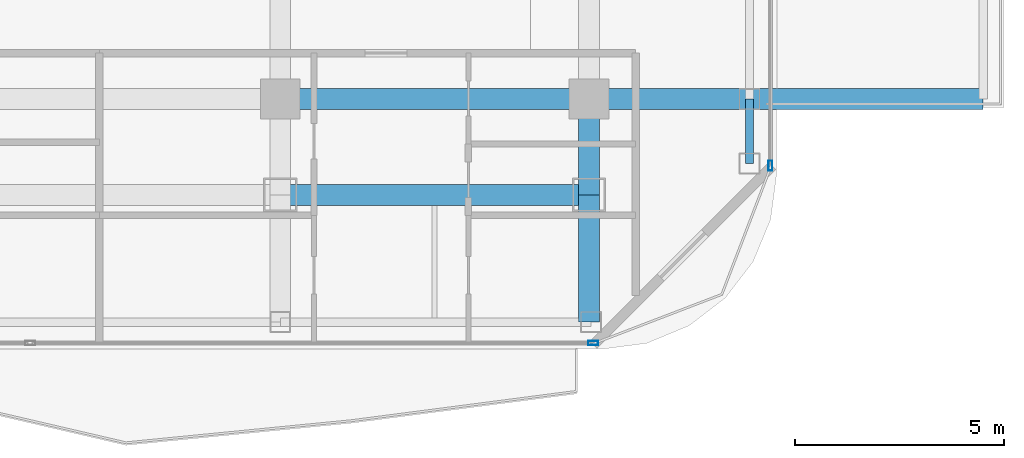
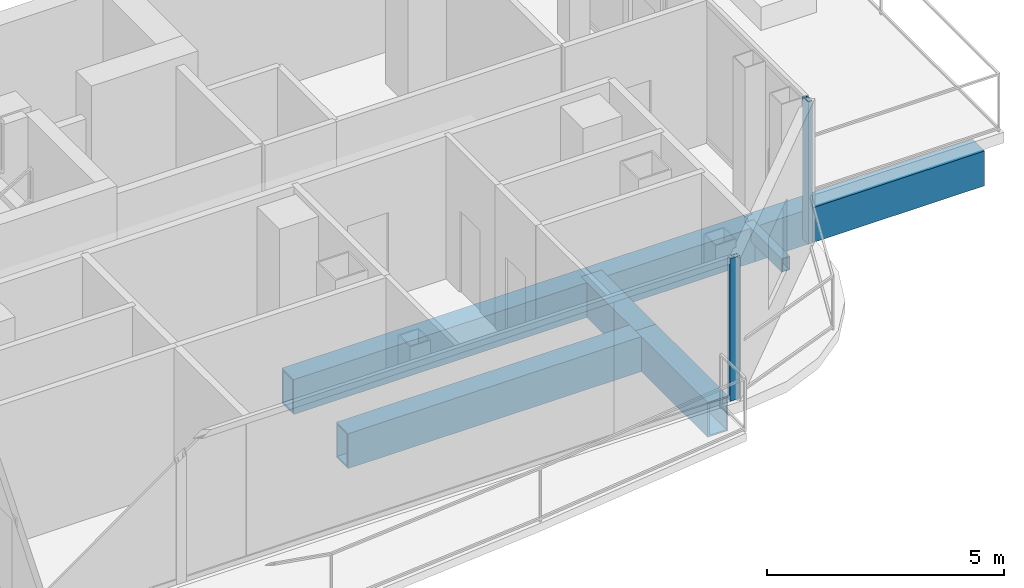
# One storey, part 8 of 24: 7 beams, 2 members, 2 elements without a shape of their own.
"""IFC4 building model written with IfcOpenShell, lengths in metres."""

from ifc_helpers import new_model, si_unit, direction, frame, origin, origin_2d, place, context, subcontext, project, spatial, hollow_rectangle, extrude, material, layer, layer_set, material_profile, profile_set, type_object, element, aggregate, save


model = new_model("IFC4")

# Units and contexts
model_context = context("Model", 3, precision=1e-05, world=origin(), true_north=direction((0.0, 1.0)))
body_context = subcontext(model_context, "Body", "Model", "MODEL_VIEW")
ifc_project = project(units=[si_unit("LENGTHUNIT", "METRE"), si_unit("AREAUNIT", "SQUARE_METRE"), si_unit("VOLUMEUNIT", "CUBIC_METRE"), si_unit("PLANEANGLEUNIT", "RADIAN"), si_unit("MASSUNIT", "GRAM", prefix="KILO")], contexts=[model_context])

# Site, building, storey
site_placement = place(None, origin())
site = spatial("IfcSite", under=ifc_project, at=site_placement, CompositionType="ELEMENT")
building_placement = place(site_placement, origin())
building = spatial("IfcBuilding", under=site, at=building_placement, Name="Khorvyn Point Tower", CompositionType="ELEMENT")
storey_placement = place(building_placement, frame((0.0, 0.0, 285.89990234375)))
storey = spatial("IfcBuildingStorey", under=building, at=storey_placement, Name="L70", CompositionType="ELEMENT", Elevation=285.89990234375)

# Curtain wall, member
ifc_material_1 = material(Name="Anodised aluminium 6063-T6 and laminated Low-E glass", Category="aluminium")
ifc_layer = layer(ifc_material_1, 0.18994140625)
ifc_layer_set = layer_set([ifc_layer], Name="Stick-Built High-Wind Curtain Wall CW-SYS-04")
curtain_wall_type = type_object("IfcCurtainWallType", Name="Stick-Built High-Wind Curtain Wall CW-SYS-04", PredefinedType="NOTDEFINED", material=ifc_layer_set)
curtain_wall_1_placement = place(storey_placement, origin())
curtain_wall_1 = element("IfcCurtainWall", 1, at=curtain_wall_1_placement, inside=storey, type_object=curtain_wall_type, Name="Curtain Wall", PredefinedType="NOTDEFINED")
ifc_material_2 = material(Name="Anodised aluminium 6063-T6", Category="aluminium")
ifc_material_profile_1 = material_profile(ifc_material_2, hollow_rectangle(XDim=0.10009765625, YDim=0.239990234375, WallThickness=0.0048828125, at=origin_2d()))
ifc_profile_set_1 = profile_set([ifc_material_profile_1], Name="Anodised aluminium 6063-T6 ALU-MUL-100x240")
member_type = type_object("IfcMemberType", Name="Anodised Aluminium 6063-T6 Mullion ALU-MUL-100x240", PredefinedType="MULLION", material=ifc_profile_set_1)
member_1_placement = place(storey_placement, frame((14.89990234375, -20.64990234375, 0.0), z_axis=(0.0, 0.0, 1.0), x_axis=(0.0, -1.0, 0.0)))
member_1 = element("IfcMember", 2, at=member_1_placement, type_object=member_type, Name="Transom", PredefinedType="MULLION", context=body_context, shape_type="SweptSolid", body=[
    extrude(hollow_rectangle(XDim=0.10009765625, YDim=0.239990234375, WallThickness=0.0048828125, at=origin_2d()), origin(), (0.0, 0.0, 1.0), 3.68017578125),
])
aggregate(curtain_wall_1, [member_1])

curtain_wall_2_placement = place(storey_placement, origin())
curtain_wall_2 = element("IfcCurtainWall", 3, at=curtain_wall_2_placement, inside=storey, type_object=curtain_wall_type, Name="Curtain Wall", PredefinedType="NOTDEFINED")
member_2_placement = place(storey_placement, frame((19.14990234375, -16.39990234375, 0.0), z_axis=(0.0, 0.0, 1.0), x_axis=(1.0, 0.0, 0.0)))
member_2 = element("IfcMember", 4, at=member_2_placement, type_object=member_type, Name="Transom", PredefinedType="MULLION", context=body_context, shape_type="SweptSolid", body=[
    extrude(hollow_rectangle(XDim=0.10009765625, YDim=0.239990234375, WallThickness=0.0048828125, at=origin_2d()), origin(), (0.0, 0.0, 1.0), 3.68017578125),
])
aggregate(curtain_wall_2, [member_2])

# Beams
ifc_material_3 = material(Name="Steel S355", Category="steel")
ifc_material_profile_2 = material_profile(ifc_material_3, hollow_rectangle(XDim=0.199951171875, YDim=0.35009765625, WallThickness=0.013916015625, at=origin_2d()))
ifc_profile_set_2 = profile_set([ifc_material_profile_2], Name="Steel S355 RHS350x200x14")
beam_type_1 = type_object("IfcBeamType", Name="Steel S355 Spandrel RHS350x200x14", PredefinedType="SPANDREL", material=ifc_profile_set_2)
beam_1_placement = place(storey_placement, frame((18.64990234375, -16.35009765625, -0.454833984375), z_axis=(0.0, 1.0, 0.0), x_axis=(-1.0, 0.0, 0.0)))
element("IfcBeam", 5, at=beam_1_placement, inside=storey, type_object=beam_type_1, Name="Beam", PredefinedType="SPANDREL", context=body_context, shape_type="SweptSolid", body=[
    extrude(hollow_rectangle(XDim=0.199951171875, YDim=0.35009765625, WallThickness=0.013916015625, at=origin_2d()), origin(), (0.0, 0.0, 1.0), 1.550048828125),
])
ifc_material_4 = material(Name="Steel S450", Category="steel")
ifc_material_profile_3 = material_profile(ifc_material_4, hollow_rectangle(XDim=0.5, YDim=0.89990234375, WallThickness=0.0400390625, at=origin_2d()))
ifc_profile_set_3 = profile_set([ifc_material_profile_3], Name="Steel S450 BOX900x500x40")
beam_type_2 = type_object("IfcBeamType", Name="Steel S450 Beam BOX900x500x40", PredefinedType="BEAM", material=ifc_profile_set_3)
beam_2_placement = place(storey_placement, frame((7.39990234375, -14.800048828125, -0.72998046875), z_axis=(1.0, 0.0, 0.0), x_axis=(0.0, 1.0, 0.0)))
element("IfcBeam", 6, at=beam_2_placement, inside=storey, type_object=beam_type_2, Name="L70 Radial Transfer Girder", PredefinedType="BEAM", context=body_context, shape_type="SweptSolid", body=[
    extrude(hollow_rectangle(XDim=0.5, YDim=0.89990234375, WallThickness=0.0400390625, at=origin_2d()), origin(), (0.0, 0.0, 1.0), 7.400146484375),
])
beam_3_placement = place(storey_placement, frame((14.800048828125, -14.800048828125, -0.72998046875), z_axis=(1.0, 0.0, 0.0), x_axis=(0.0, 1.0, 0.0)))
element("IfcBeam", 7, at=beam_3_placement, inside=storey, type_object=beam_type_2, Name="L70 Radial Transfer Girder", PredefinedType="BEAM", context=body_context, shape_type="SweptSolid", body=[
    extrude(hollow_rectangle(XDim=0.5, YDim=0.89990234375, WallThickness=0.0400390625, at=origin_2d()), origin(), (0.0, 0.0, 1.0), 3.849853515625),
])
beam_4_placement = place(storey_placement, frame((18.64990234375, -14.800048828125, -0.72998046875), z_axis=(1.0, 0.0, 0.0), x_axis=(0.0, 1.0, 0.0)))
element("IfcBeam", 8, at=beam_4_placement, inside=storey, type_object=beam_type_2, Name="L70 Radial Transfer Girder", PredefinedType="BEAM", context=body_context, shape_type="SweptSolid", body=[
    extrude(hollow_rectangle(XDim=0.5, YDim=0.89990234375, WallThickness=0.0400390625, at=origin_2d()), origin(), (0.0, 0.0, 1.0), 5.60009765625),
])
beam_5_placement = place(storey_placement, frame((7.39990234375, -17.10009765625, -0.72998046875), z_axis=(1.0, 0.0, 0.0), x_axis=(0.0, 1.0, 0.0)))
element("IfcBeam", 9, at=beam_5_placement, inside=storey, type_object=beam_type_2, Name="Beam", PredefinedType="BEAM", context=body_context, shape_type="SweptSolid", body=[
    extrude(hollow_rectangle(XDim=0.5, YDim=0.89990234375, WallThickness=0.0400390625, at=origin_2d()), origin(), (0.0, 0.0, 1.0), 7.400146484375),
])
beam_6_placement = place(storey_placement, frame((14.800048828125, -20.14990234375, -0.72998046875), z_axis=(0.0, 1.0, 0.0), x_axis=(-1.0, 0.0, 0.0)))
element("IfcBeam", 10, at=beam_6_placement, inside=storey, type_object=beam_type_2, Name="L70 Radial Transfer Girder", PredefinedType="BEAM", context=body_context, shape_type="SweptSolid", body=[
    extrude(hollow_rectangle(XDim=0.5, YDim=0.89990234375, WallThickness=0.0400390625, at=origin_2d()), origin(), (0.0, 0.0, 1.0), 3.0498046875),
])
beam_7_placement = place(storey_placement, frame((14.800048828125, -17.10009765625, -0.72998046875), z_axis=(0.0, 1.0, 0.0), x_axis=(-1.0, 0.0, 0.0)))
element("IfcBeam", 11, at=beam_7_placement, inside=storey, type_object=beam_type_2, Name="L70 Radial Transfer Girder", PredefinedType="BEAM", context=body_context, shape_type="SweptSolid", body=[
    extrude(hollow_rectangle(XDim=0.5, YDim=0.89990234375, WallThickness=0.0400390625, at=origin_2d()), origin(), (0.0, 0.0, 1.0), 2.300048828125),
])

save(model, "model.ifc")
